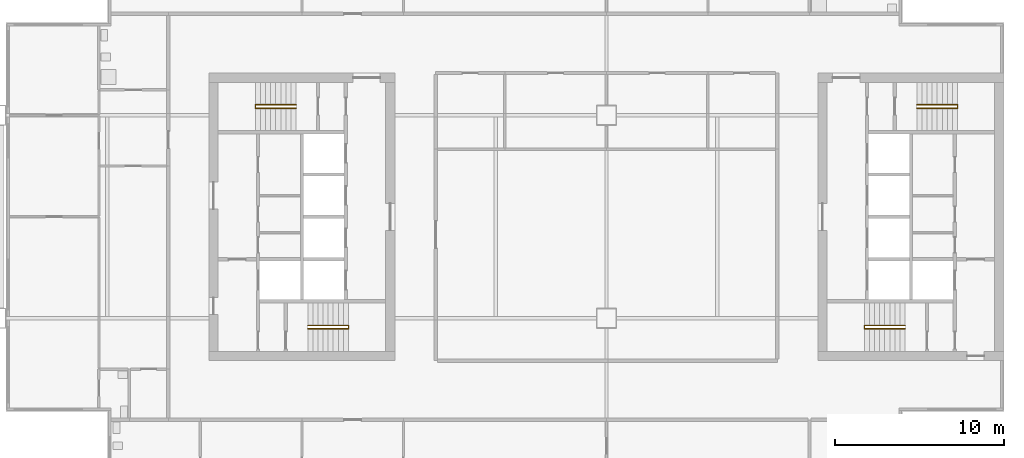
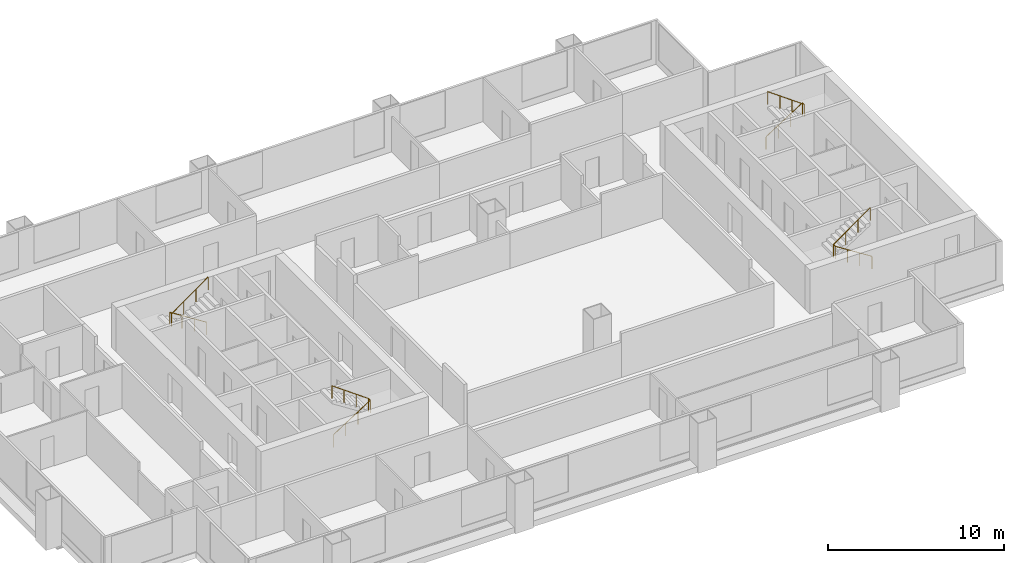
# One storey, part 7 of 8: 4 railings.
"""IFC4 building model written with IfcOpenShell, lengths in metres."""

from ifc_helpers import new_model, si_unit, direction, frame, origin, origin_2d, place, context, subcontext, project, spatial, circle, extrude, material, type_object, element, save


model = new_model("IFC4")

# Units and contexts
model_context = context("Model", 3, precision=1e-05, world=origin(), true_north=direction((0.0, 1.0)))
body_context = subcontext(model_context, "Body", "Model", "MODEL_VIEW")
ifc_project = project(units=[si_unit("LENGTHUNIT", "METRE"), si_unit("AREAUNIT", "SQUARE_METRE"), si_unit("VOLUMEUNIT", "CUBIC_METRE"), si_unit("PLANEANGLEUNIT", "RADIAN"), si_unit("MASSUNIT", "GRAM", prefix="KILO")], contexts=[model_context])

# Site, building, storey
site_placement = place(None, origin())
site = spatial("IfcSite", under=ifc_project, at=site_placement, CompositionType="ELEMENT")
building_placement = place(site_placement, origin())
building = spatial("IfcBuilding", under=site, at=building_placement, Name="Kitamizu Gate Tower and Museum", CompositionType="ELEMENT")
storey_placement = place(building_placement, frame((0.0, 0.0, 203.10009765625)))
storey = spatial("IfcBuildingStorey", under=building, at=storey_placement, Name="L54", CompositionType="ELEMENT", Elevation=203.10009765625)

# Railings
ifc_material = material(Name="Stainless steel SUS304", Category="steel")
railing_type = type_object("IfcRailingType", Name="Stair handrail 900", PredefinedType="HANDRAIL", material=ifc_material)
railing_1_placement = place(storey_placement, frame((18.35009765625, 23.375, 0.191650390625)))
element("IfcRailing", 1, at=railing_1_placement, inside=storey, type_object=railing_type, Name="Stair handrail ST1", PredefinedType="HANDRAIL", context=body_context, shape_type="SweptSolid", body=[
    extrude(circle(Radius=0.02392578125, at=origin_2d()), frame((0.0, 0.0, 0.8759765625), z_axis=(0.84270706373, 0.0, 0.538372366248), x_axis=(0.0, 1.0, 0.0)), (0.0, 0.0, 1.0), 2.847900390625),
    extrude(circle(Radius=0.02392578125, at=origin_2d()), frame((2.39990234375, 0.0, 2.4091796875), z_axis=(0.0, 1.0, 0.0), x_axis=(-1.0, 0.0, 0.0)), (0.0, 0.0, 1.0), 0.199951171875),
    extrude(circle(Radius=0.02392578125, at=origin_2d()), frame((2.39990234375, 0.199951171875, 2.4091796875), z_axis=(-0.811988456656, 0.0, 0.583673492852), x_axis=(0.0, -1.0, 0.0)), (0.0, 0.0, 1.0), 2.95556640625),
    extrude(circle(Radius=0.02099609375, at=origin_2d()), origin(), (0.0, 0.0, 1.0), 0.851806640625),
    extrude(circle(Radius=0.02099609375, at=origin_2d()), frame((0.800048828125, 0.0, 0.510986328125)), (0.0, 0.0, 1.0), 0.851806640625),
    extrude(circle(Radius=0.02099609375, at=origin_2d()), frame((1.599853515625, 0.0, 1.022216796875)), (0.0, 0.0, 1.0), 0.851806640625),
    extrude(circle(Radius=0.02099609375, at=origin_2d()), frame((2.39990234375, 0.0, 1.533203125)), (0.0, 0.0, 1.0), 0.851806640625),
    extrude(circle(Radius=0.02099609375, at=origin_2d()), frame((2.39990234375, 0.199951171875, 1.533203125)), (0.0, 0.0, 1.0), 0.851806640625),
    extrude(circle(Radius=0.02099609375, at=origin_2d()), frame((1.599853515625, 0.199951171875, 2.108154296875)), (0.0, 0.0, 1.0), 0.851806640625),
    extrude(circle(Radius=0.02099609375, at=origin_2d()), frame((0.800048828125, 0.199951171875, 2.683349609375)), (0.0, 0.0, 1.0), 0.851806640625),
    extrude(circle(Radius=0.02099609375, at=origin_2d()), frame((0.0, 0.199951171875, 3.25830078125)), (0.0, 0.0, 1.0), 0.851806640625),
])
railing_2_placement = place(storey_placement, frame((17.64990234375, 36.625, 0.191650390625)))
element("IfcRailing", 2, at=railing_2_placement, inside=storey, type_object=railing_type, Name="Stair handrail ST2", PredefinedType="HANDRAIL", context=body_context, shape_type="SweptSolid", body=[
    extrude(circle(Radius=0.02392578125, at=origin_2d()), frame((0.0, 0.0, 0.8759765625), z_axis=(-0.84270706373, 0.0, 0.538372366248), x_axis=(0.0, -1.0, 0.0)), (0.0, 0.0, 1.0), 2.847900390625),
    extrude(circle(Radius=0.02392578125, at=origin_2d()), frame((-2.39990234375, 0.0, 2.4091796875), z_axis=(0.0, -1.0, 0.0), x_axis=(1.0, 0.0, 0.0)), (0.0, 0.0, 1.0), 0.199951171875),
    extrude(circle(Radius=0.02392578125, at=origin_2d()), frame((-2.39990234375, -0.199951171875, 2.4091796875), z_axis=(0.811988456656, 0.0, 0.583673492852), x_axis=(0.0, 1.0, 0.0)), (0.0, 0.0, 1.0), 2.95556640625),
    extrude(circle(Radius=0.02099609375, at=origin_2d()), origin(), (0.0, 0.0, 1.0), 0.851806640625),
    extrude(circle(Radius=0.02099609375, at=origin_2d()), frame((-0.800048828125, 0.0, 0.510986328125)), (0.0, 0.0, 1.0), 0.851806640625),
    extrude(circle(Radius=0.02099609375, at=origin_2d()), frame((-1.599853515625, 0.0, 1.022216796875)), (0.0, 0.0, 1.0), 0.851806640625),
    extrude(circle(Radius=0.02099609375, at=origin_2d()), frame((-2.39990234375, 0.0, 1.533203125)), (0.0, 0.0, 1.0), 0.851806640625),
    extrude(circle(Radius=0.02099609375, at=origin_2d()), frame((-2.39990234375, -0.199951171875, 1.533203125)), (0.0, 0.0, 1.0), 0.851806640625),
    extrude(circle(Radius=0.02099609375, at=origin_2d()), frame((-1.599853515625, -0.199951171875, 2.108154296875)), (0.0, 0.0, 1.0), 0.851806640625),
    extrude(circle(Radius=0.02099609375, at=origin_2d()), frame((-0.800048828125, -0.199951171875, 2.683349609375)), (0.0, 0.0, 1.0), 0.851806640625),
    extrude(circle(Radius=0.02099609375, at=origin_2d()), frame((0.0, -0.199951171875, 3.25830078125)), (0.0, 0.0, 1.0), 0.851806640625),
])
railing_3_placement = place(storey_placement, frame((53.64990234375, 23.375, 0.191650390625)))
element("IfcRailing", 3, at=railing_3_placement, inside=storey, type_object=railing_type, Name="Stair handrail ST3", PredefinedType="HANDRAIL", context=body_context, shape_type="SweptSolid", body=[
    extrude(circle(Radius=0.02392578125, at=origin_2d()), frame((0.0, 0.0, 0.8759765625), z_axis=(-0.84270706373, 0.0, 0.538372366248), x_axis=(0.0, -1.0, 0.0)), (0.0, 0.0, 1.0), 2.847900390625),
    extrude(circle(Radius=0.02392578125, at=origin_2d()), frame((-2.39990234375, 0.0, 2.4091796875), z_axis=(0.0, 1.0, 0.0), x_axis=(-1.0, 0.0, 0.0)), (0.0, 0.0, 1.0), 0.199951171875),
    extrude(circle(Radius=0.02392578125, at=origin_2d()), frame((-2.39990234375, 0.199951171875, 2.4091796875), z_axis=(0.811988456656, 0.0, 0.583673492852), x_axis=(0.0, 1.0, 0.0)), (0.0, 0.0, 1.0), 2.95556640625),
    extrude(circle(Radius=0.02099609375, at=origin_2d()), origin(), (0.0, 0.0, 1.0), 0.851806640625),
    extrude(circle(Radius=0.02099609375, at=origin_2d()), frame((-0.800048828125, 0.0, 0.510986328125)), (0.0, 0.0, 1.0), 0.851806640625),
    extrude(circle(Radius=0.02099609375, at=origin_2d()), frame((-1.599853515625, 0.0, 1.022216796875)), (0.0, 0.0, 1.0), 0.851806640625),
    extrude(circle(Radius=0.02099609375, at=origin_2d()), frame((-2.39990234375, 0.0, 1.533203125)), (0.0, 0.0, 1.0), 0.851806640625),
    extrude(circle(Radius=0.02099609375, at=origin_2d()), frame((-2.39990234375, 0.199951171875, 1.533203125)), (0.0, 0.0, 1.0), 0.851806640625),
    extrude(circle(Radius=0.02099609375, at=origin_2d()), frame((-1.599853515625, 0.199951171875, 2.108154296875)), (0.0, 0.0, 1.0), 0.851806640625),
    extrude(circle(Radius=0.02099609375, at=origin_2d()), frame((-0.800048828125, 0.199951171875, 2.683349609375)), (0.0, 0.0, 1.0), 0.851806640625),
    extrude(circle(Radius=0.02099609375, at=origin_2d()), frame((0.0, 0.199951171875, 3.25830078125)), (0.0, 0.0, 1.0), 0.851806640625),
])
railing_4_placement = place(storey_placement, frame((54.35009765625, 36.625, 0.191650390625)))
element("IfcRailing", 4, at=railing_4_placement, inside=storey, type_object=railing_type, Name="Stair handrail ST4", PredefinedType="HANDRAIL", context=body_context, shape_type="SweptSolid", body=[
    extrude(circle(Radius=0.02392578125, at=origin_2d()), frame((0.0, 0.0, 0.8759765625), z_axis=(0.84270706373, 0.0, 0.538372366248), x_axis=(0.0, 1.0, 0.0)), (0.0, 0.0, 1.0), 2.847900390625),
    extrude(circle(Radius=0.02392578125, at=origin_2d()), frame((2.39990234375, 0.0, 2.4091796875), z_axis=(0.0, -1.0, 0.0), x_axis=(1.0, 0.0, 0.0)), (0.0, 0.0, 1.0), 0.199951171875),
    extrude(circle(Radius=0.02392578125, at=origin_2d()), frame((2.39990234375, -0.199951171875, 2.4091796875), z_axis=(-0.811988456656, 0.0, 0.583673492852), x_axis=(0.0, -1.0, 0.0)), (0.0, 0.0, 1.0), 2.95556640625),
    extrude(circle(Radius=0.02099609375, at=origin_2d()), origin(), (0.0, 0.0, 1.0), 0.851806640625),
    extrude(circle(Radius=0.02099609375, at=origin_2d()), frame((0.800048828125, 0.0, 0.510986328125)), (0.0, 0.0, 1.0), 0.851806640625),
    extrude(circle(Radius=0.02099609375, at=origin_2d()), frame((1.599853515625, 0.0, 1.022216796875)), (0.0, 0.0, 1.0), 0.851806640625),
    extrude(circle(Radius=0.02099609375, at=origin_2d()), frame((2.39990234375, 0.0, 1.533203125)), (0.0, 0.0, 1.0), 0.851806640625),
    extrude(circle(Radius=0.02099609375, at=origin_2d()), frame((2.39990234375, -0.199951171875, 1.533203125)), (0.0, 0.0, 1.0), 0.851806640625),
    extrude(circle(Radius=0.02099609375, at=origin_2d()), frame((1.599853515625, -0.199951171875, 2.108154296875)), (0.0, 0.0, 1.0), 0.851806640625),
    extrude(circle(Radius=0.02099609375, at=origin_2d()), frame((0.800048828125, -0.199951171875, 2.683349609375)), (0.0, 0.0, 1.0), 0.851806640625),
    extrude(circle(Radius=0.02099609375, at=origin_2d()), frame((0.0, -0.199951171875, 3.25830078125)), (0.0, 0.0, 1.0), 0.851806640625),
])

save(model, "model.ifc")
